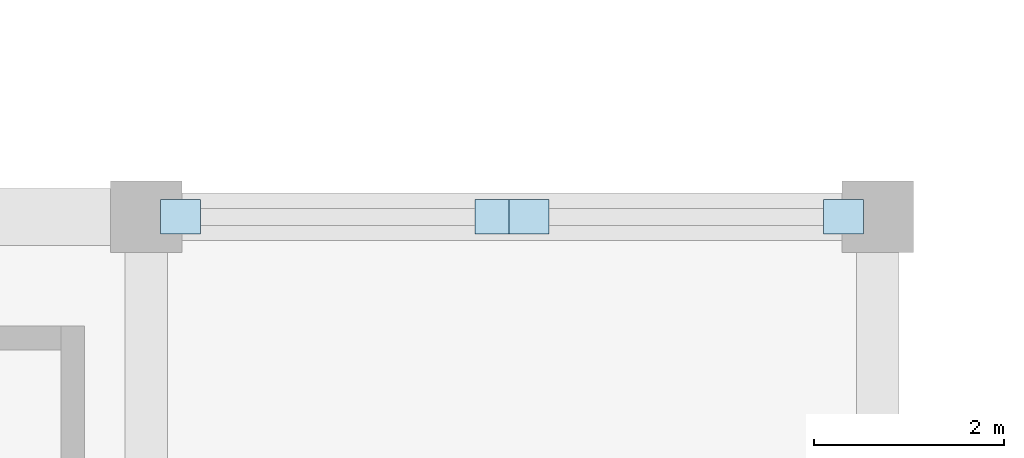
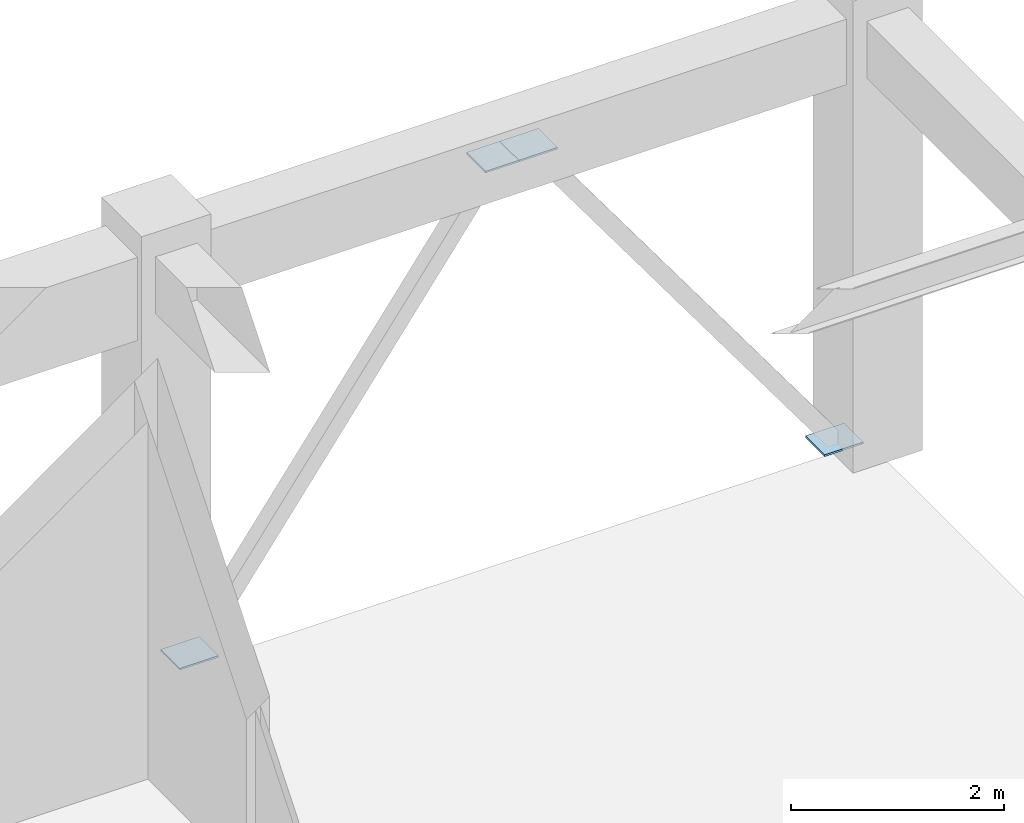
# One storey, part 51 of 70: 4 plates.
"""IFC4 building model written with IfcOpenShell, lengths in metres."""

from ifc_helpers import new_model, si_unit, direction, frame, origin, origin_2d, place, context, subcontext, project, spatial, rectangle, extrude, material, layer, layer_set, type_object, element, save


model = new_model("IFC4")

# Units and contexts
model_context = context("Model", 3, precision=1e-05, world=origin(), true_north=direction((0.0, 1.0)))
body_context = subcontext(model_context, "Body", "Model", "MODEL_VIEW")
ifc_project = project(units=[si_unit("LENGTHUNIT", "METRE"), si_unit("AREAUNIT", "SQUARE_METRE"), si_unit("VOLUMEUNIT", "CUBIC_METRE"), si_unit("PLANEANGLEUNIT", "RADIAN"), si_unit("MASSUNIT", "GRAM", prefix="KILO")], contexts=[model_context])

# Site, building, storey
site_placement = place(None, origin())
site = spatial("IfcSite", under=ifc_project, at=site_placement, CompositionType="ELEMENT")
building_placement = place(site_placement, origin())
building = spatial("IfcBuilding", under=site, at=building_placement, Name="Cuetzalor Civic Arena", CompositionType="ELEMENT")
storey_placement = place(building_placement, frame((0.0, 0.0, 21.0)))
storey = spatial("IfcBuildingStorey", under=building, at=storey_placement, Name="L04", CompositionType="ELEMENT", Elevation=21.0)

# Plates
ifc_material = material(Name="Steel S355", Category="steel")
ifc_layer = layer(ifc_material, 0.02001953125)
ifc_layer_set = layer_set([ifc_layer], Name="Steel S355")
plate_type = type_object("IfcPlateType", Name="TubeEndCapPlate_CP01", PredefinedType="SHEET", material=ifc_layer_set)
for number, where, z_axis, x_axis, name in (
    (1, (-63.639892578125, 25.0, 0.139892578125), (0.0, 0.0, 1.0), (1.0, 0.0, 0.0), "Brace End Cap Plate 021-1"),
    (2, (-60.330078125, 25.0, 4.669921875), (0.0, 0.0, 1.0), (1.0, 0.0, 0.0), "Brace End Cap Plate 021-2"),
    (3, (-56.659912109375, 25.0, 0.139892578125), (0.0, 0.0, 1.0), (1.0, 0.0, 0.0), "Brace End Cap Plate 022-1"),
    (4, (-59.969970703125, 25.0, 4.669921875), (0.0, 0.0, 1.0), (1.0, 0.0, 0.0), "Brace End Cap Plate 022-2"),
):
    element("IfcPlate", number, at=place(storey_placement, frame(where, z_axis=z_axis, x_axis=x_axis)), inside=storey, type_object=plate_type, Name=name, PredefinedType="SHEET", context=body_context, shape_type="SweptSolid", body=[
        extrude(rectangle(XDim=0.419921875, YDim=0.360107421875, at=origin_2d()), origin(), (0.0, 0.0, 1.0), 0.02001953125),
    ])

save(model, "model.ifc")
